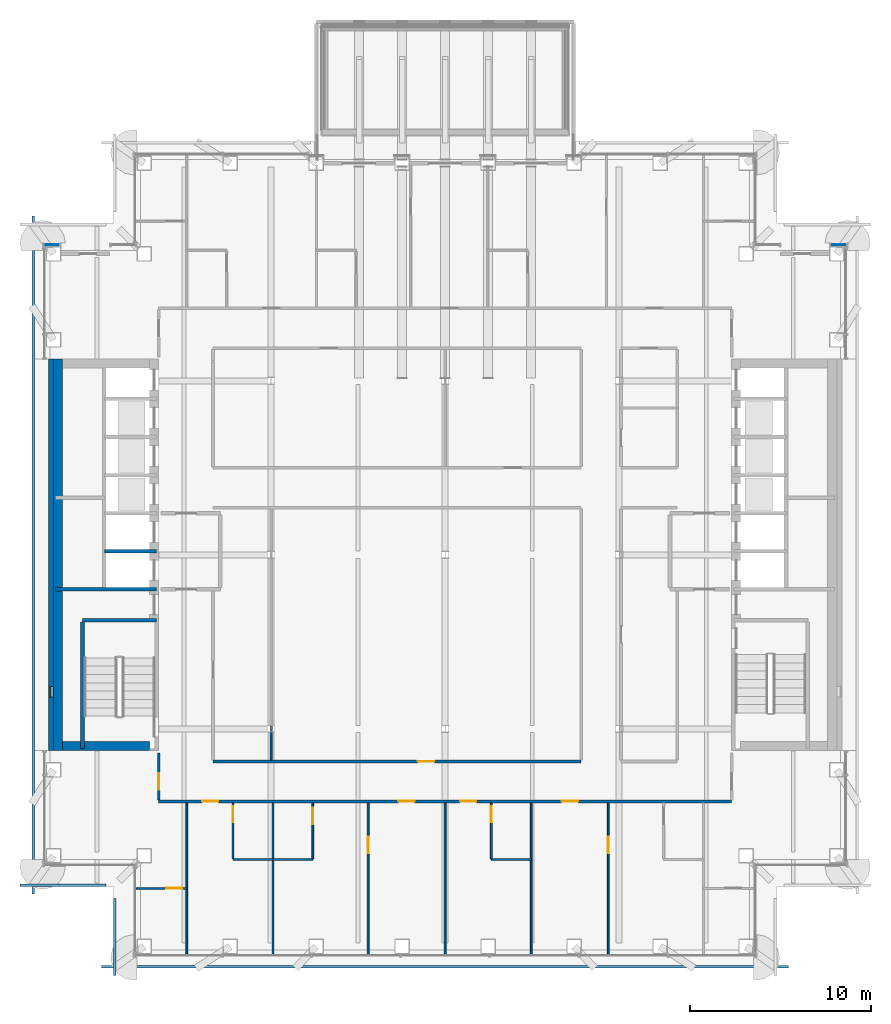
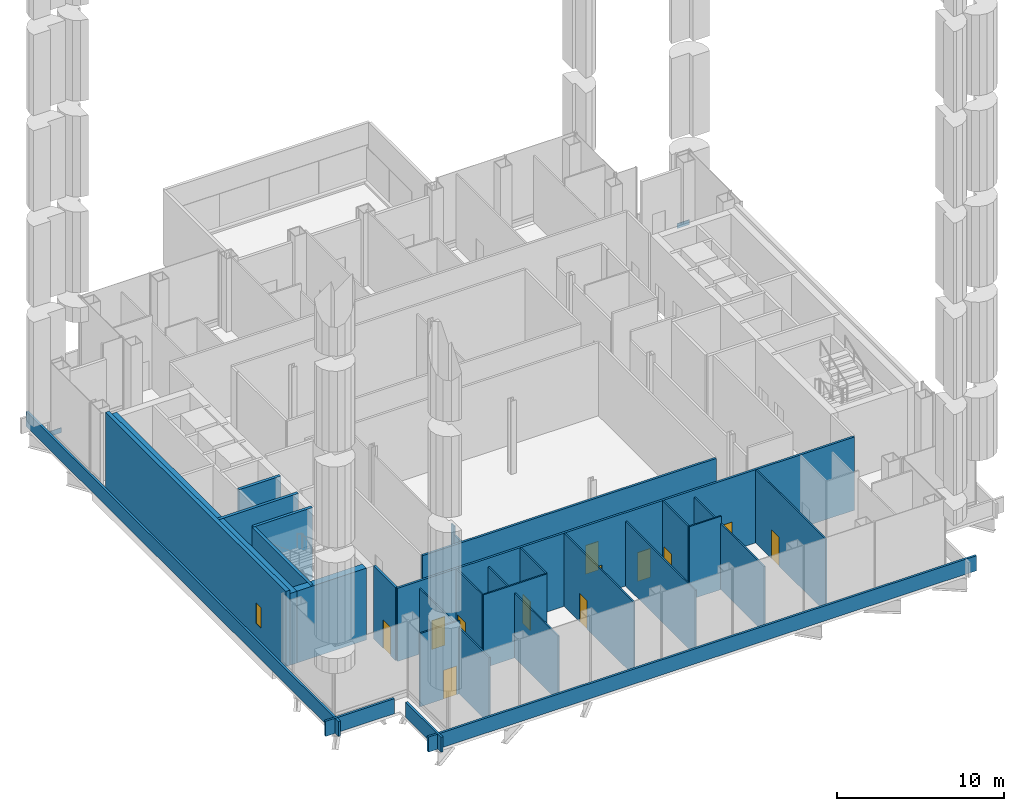
# One storey, part 10 of 22: 29 walls, 12 doors, 2 plates, 1 window, 13 openings, 2 elements without a shape of their own.
"""IFC4 building model written with IfcOpenShell, lengths in metres."""

from ifc_helpers import new_model, si_unit, direction, frame, frame_2d, origin, origin_2d, place, context, subcontext, project, spatial, rectangle, extrude, material, layer, layer_set, type_object, element, fill, aggregate, save


model = new_model("IFC4")

# Units and contexts
model_context = context("Model", 3, precision=1e-05, world=origin(), true_north=direction((0.0, 1.0)))
body_context = subcontext(model_context, "Body", "Model", "MODEL_VIEW")
ifc_project = project(units=[si_unit("LENGTHUNIT", "METRE"), si_unit("AREAUNIT", "SQUARE_METRE"), si_unit("VOLUMEUNIT", "CUBIC_METRE"), si_unit("PLANEANGLEUNIT", "RADIAN"), si_unit("MASSUNIT", "GRAM", prefix="KILO")], contexts=[model_context])

# Site, building, storey
site_placement = place(None, origin())
site = spatial("IfcSite", under=ifc_project, at=site_placement, CompositionType="ELEMENT")
building_placement = place(site_placement, origin())
building = spatial("IfcBuilding", under=site, at=building_placement, Name="Cobrizo Arcos Hotel Tower", CompositionType="ELEMENT")
storey_placement = place(building_placement, frame((0.0, 0.0, 142.5)))
storey = spatial("IfcBuildingStorey", under=building, at=storey_placement, Name="L36", CompositionType="ELEMENT", Elevation=142.5)

# Curtain wall, plate
ifc_material_1 = material(Name="Aluminium 6063-T6 anodised bronze", Category="aluminium")
curtain_wall_type = type_object("IfcCurtainWallType", Name="CW-E sky lobby glazing", PredefinedType="NOTDEFINED", material=ifc_material_1)
curtain_wall_1_placement = place(storey_placement, origin())
curtain_wall_1 = element("IfcCurtainWall", 1, at=curtain_wall_1_placement, inside=storey, type_object=curtain_wall_type, Name="CW-E L36 N face", PredefinedType="NOTDEFINED")
ifc_material_2 = material(Name="Aluminium composite panel pale metal", Category="aluminium")
ifc_layer_1 = layer(ifc_material_2, 0.0400390625)
ifc_layer_set_1 = layer_set([ifc_layer_1], Name="CW-E spandrel panel")
plate_type = type_object("IfcPlateType", Name="CW-E spandrel panel", PredefinedType="CURTAIN_PANEL", material=ifc_layer_set_1)
plate_1_placement = place(storey_placement, frame((21.699951171875, 17.10009765625, 0.0), z_axis=(0.0, 0.0, 1.0), x_axis=(-1.0, 0.0, 0.0)))
plate_1 = element("IfcPlate", 2, at=plate_1_placement, type_object=plate_type, Name="CW-E spandrel panel 1320", PredefinedType="CURTAIN_PANEL", context=body_context, shape_type="SweptSolid", body=[
    extrude(rectangle(XDim=0.840087890625, YDim=0.0400390625, at=origin_2d()), origin(), (0.0, 0.0, 1.0), 0.360107421875),
])
aggregate(curtain_wall_1, [plate_1])

curtain_wall_2_placement = place(storey_placement, origin())
curtain_wall_2 = element("IfcCurtainWall", 3, at=curtain_wall_2_placement, inside=storey, type_object=curtain_wall_type, Name="CW-E L36 N face", PredefinedType="NOTDEFINED")
plate_2_placement = place(storey_placement, frame((-21.699951171875, 17.10009765625, 0.0), z_axis=(0.0, 0.0, 1.0), x_axis=(-1.0, 0.0, 0.0)))
plate_2 = element("IfcPlate", 4, at=plate_2_placement, type_object=plate_type, Name="CW-E spandrel panel 1329", PredefinedType="CURTAIN_PANEL", context=body_context, shape_type="SweptSolid", body=[
    extrude(rectangle(XDim=0.840087890625, YDim=0.0400390625, at=origin_2d()), origin(), (0.0, 0.0, 1.0), 0.360107421875),
])
aggregate(curtain_wall_2, [plate_2])

# Wall, openings, doors
ifc_material_3 = material(Name="Gypsum board partition")
ifc_layer_2 = layer(ifc_material_3, 0.14990234375)
ifc_layer_set_2 = layer_set([ifc_layer_2], Name="Corridor wall EI 60 150")
wall_type_1 = type_object("IfcWallType", Name="Corridor wall EI 60 150", PredefinedType="PARTITIONING", material=ifc_layer_set_2)
wall_1_placement = place(storey_placement, frame((-15.800048828125, -13.60009765625, 0.0), z_axis=(0.0, 0.0, 1.0), x_axis=(1.0, 0.0, 0.0)))
wall_1 = element("IfcWall", 5, at=wall_1_placement, inside=storey, type_object=wall_type_1, Name="Partition 006", PredefinedType="PARTITIONING", context=body_context, shape_type="SweptSolid", body=[
    extrude(rectangle(XDim=31.60009765625, YDim=0.14990234375, at=frame_2d((15.800048828125, 0.0))), origin(), (0.0, 0.0, 1.0), 5.35009765625),
])
opening_1_placement = place(wall_1_placement, frame((2.39306640625, 0.0, 0.0)))
opening_1 = element("IfcOpeningElement", 6, at=opening_1_placement, cuts=wall_1, Name="Opening RD-06", PredefinedType="OPENING", context=body_context, shape_type="SweptSolid", body=[
    extrude(rectangle(XDim=0.89990234375, YDim=2.10009765625, at=frame_2d((0.449951171875, 1.050048828125))), frame((0.0, 0.0869140625, 0.0), z_axis=(0.0, -1.0, 0.0), x_axis=(1.0, 0.0, 0.0)), (0.0, 0.0, 1.0), 0.173828125),
])
opening_2_placement = place(wall_1_placement, frame((13.216064453125, 0.0, 0.0)))
opening_2 = element("IfcOpeningElement", 7, at=opening_2_placement, cuts=wall_1, Name="Opening RD-07", PredefinedType="OPENING", context=body_context, shape_type="SweptSolid", body=[
    extrude(rectangle(XDim=0.89990234375, YDim=2.10009765625, at=frame_2d((0.449951171875, 1.050048828125))), frame((0.0, 0.0869140625, 0.0), z_axis=(0.0, -1.0, 0.0), x_axis=(1.0, 0.0, 0.0)), (0.0, 0.0, 1.0), 0.173828125),
])
opening_3_placement = place(wall_1_placement, frame((16.6220703125, 0.0, 0.0)))
opening_3 = element("IfcOpeningElement", 8, at=opening_3_placement, cuts=wall_1, Name="Opening RD-09", PredefinedType="OPENING", context=body_context, shape_type="SweptSolid", body=[
    extrude(rectangle(XDim=0.89990234375, YDim=2.10009765625, at=frame_2d((0.449951171875, 1.050048828125))), frame((0.0, 0.0869140625, 0.0), z_axis=(0.0, -1.0, 0.0), x_axis=(1.0, 0.0, 0.0)), (0.0, 0.0, 1.0), 0.173828125),
])
opening_4_placement = place(wall_1_placement, frame((22.22802734375, 0.0, 0.0)))
opening_4 = element("IfcOpeningElement", 9, at=opening_4_placement, cuts=wall_1, Name="Opening RD-10", PredefinedType="OPENING", context=body_context, shape_type="SweptSolid", body=[
    extrude(rectangle(XDim=0.89990234375, YDim=2.10009765625, at=frame_2d((0.449951171875, 1.050048828125))), frame((0.0, 0.0869140625, 0.0), z_axis=(0.0, -1.0, 0.0), x_axis=(1.0, 0.0, 0.0)), (0.0, 0.0, 1.0), 0.173828125),
])
ifc_material_4 = material(Name="Timber door leaf", Category="wood")
door_type_1 = type_object("IfcDoorType", Name="Room door FD30 900x2100", OperationType="SINGLE_SWING_LEFT", PredefinedType="DOOR", material=ifc_material_4)
door_1_placement = place(opening_1_placement, origin())
door_1 = element("IfcDoor", 10, at=door_1_placement, inside=storey, type_object=door_type_1, Name="Door RD-06", OperationType="SINGLE_SWING_LEFT", OverallHeight=2.10009765625, OverallWidth=0.89990234375, PredefinedType="DOOR", context=body_context, shape_type="SweptSolid", body=[
    extrude(rectangle(XDim=0.89990234375, YDim=2.10009765625, at=frame_2d((0.449951171875, 1.050048828125))), frame((0.0, 0.02490234375, 0.0), z_axis=(0.0, -1.0, 0.0), x_axis=(1.0, 0.0, 0.0)), (0.0, 0.0, 1.0), 0.050048828125),
])
fill(opening_1, door_1)
door_2_placement = place(opening_2_placement, origin())
door_2 = element("IfcDoor", 11, at=door_2_placement, inside=storey, type_object=door_type_1, Name="Door RD-07", OperationType="SINGLE_SWING_LEFT", OverallHeight=2.10009765625, OverallWidth=0.89990234375, PredefinedType="DOOR", context=body_context, shape_type="SweptSolid", body=[
    extrude(rectangle(XDim=0.89990234375, YDim=2.10009765625, at=frame_2d((0.449951171875, 1.050048828125))), frame((0.0, 0.02490234375, 0.0), z_axis=(0.0, -1.0, 0.0), x_axis=(1.0, 0.0, 0.0)), (0.0, 0.0, 1.0), 0.050048828125),
])
fill(opening_2, door_2)
door_3_placement = place(opening_3_placement, origin())
door_3 = element("IfcDoor", 12, at=door_3_placement, inside=storey, type_object=door_type_1, Name="Door RD-09", OperationType="SINGLE_SWING_LEFT", OverallHeight=2.10009765625, OverallWidth=0.89990234375, PredefinedType="DOOR", context=body_context, shape_type="SweptSolid", body=[
    extrude(rectangle(XDim=0.89990234375, YDim=2.10009765625, at=frame_2d((0.449951171875, 1.050048828125))), frame((0.0, 0.02490234375, 0.0), z_axis=(0.0, -1.0, 0.0), x_axis=(1.0, 0.0, 0.0)), (0.0, 0.0, 1.0), 0.050048828125),
])
fill(opening_3, door_3)
door_4_placement = place(opening_4_placement, origin())
door_4 = element("IfcDoor", 13, at=door_4_placement, inside=storey, type_object=door_type_1, Name="Door RD-10", OperationType="SINGLE_SWING_RIGHT", OverallHeight=2.10009765625, OverallWidth=0.89990234375, PredefinedType="DOOR", context=body_context, shape_type="SweptSolid", body=[
    extrude(rectangle(XDim=0.89990234375, YDim=2.10009765625, at=frame_2d((0.449951171875, 1.050048828125))), frame((0.0, 0.02490234375, 0.0), z_axis=(0.0, -1.0, 0.0), x_axis=(1.0, 0.0, 0.0)), (0.0, 0.0, 1.0), 0.050048828125),
])
fill(opening_4, door_4)

# Wall, opening, door
wall_2_placement = place(storey_placement, frame((-12.800048828125, -11.39990234375, 0.0), z_axis=(0.0, 0.0, 1.0), x_axis=(1.0, 0.0, 0.0)))
wall_2 = element("IfcWall", 14, at=wall_2_placement, inside=storey, type_object=wall_type_1, Name="Partition 007", PredefinedType="PARTITIONING", context=body_context, shape_type="SweptSolid", body=[
    extrude(rectangle(XDim=20.300048828125, YDim=0.14990234375, at=frame_2d((10.14990234375, 0.0))), origin(), (0.0, 0.0, 1.0), 5.35009765625),
])
opening_5_placement = place(wall_2_placement, frame((11.300048828125, 0.0, 0.0)))
opening_5 = element("IfcOpeningElement", 15, at=opening_5_placement, cuts=wall_2, Name="Opening RD-20", PredefinedType="OPENING", context=body_context, shape_type="SweptSolid", body=[
    extrude(rectangle(XDim=0.89990234375, YDim=2.10009765625, at=frame_2d((0.449951171875, 1.050048828125))), frame((0.0, 0.0869140625, 0.0), z_axis=(0.0, -1.0, 0.0), x_axis=(1.0, 0.0, 0.0)), (0.0, 0.0, 1.0), 0.173828125),
])
door_5_placement = place(opening_5_placement, origin())
door_5 = element("IfcDoor", 16, at=door_5_placement, inside=storey, type_object=door_type_1, Name="Door RD-20", OperationType="SINGLE_SWING_LEFT", OverallHeight=2.10009765625, OverallWidth=0.89990234375, PredefinedType="DOOR", context=body_context, shape_type="SweptSolid", body=[
    extrude(rectangle(XDim=0.89990234375, YDim=2.10009765625, at=frame_2d((0.449951171875, 1.050048828125))), frame((0.0, 0.02490234375, 0.0), z_axis=(0.0, -1.0, 0.0), x_axis=(1.0, 0.0, 0.0)), (0.0, 0.0, 1.0), 0.050048828125),
])
fill(opening_5, door_5)

wall_3_placement = place(storey_placement, frame((-15.800048828125, -13.52490234375, 0.0), z_axis=(0.0, 0.0, 1.0), x_axis=(0.0, 1.0, 0.0)))
wall_3 = element("IfcWall", 17, at=wall_3_placement, inside=storey, type_object=wall_type_1, Name="Partition 046", PredefinedType="PARTITIONING", context=body_context, shape_type="SweptSolid", body=[
    extrude(rectangle(XDim=2.60498046875, YDim=0.14990234375, at=frame_2d((1.302490234375, 0.0))), origin(), (0.0, 0.0, 1.0), 5.35009765625),
])
opening_6_placement = place(wall_3_placement, frame((0.574951171875, 0.0, 0.0)))
opening_6 = element("IfcOpeningElement", 18, at=opening_6_placement, cuts=wall_3, Name="Opening RD-12", PredefinedType="OPENING", context=body_context, shape_type="SweptSolid", body=[
    extrude(rectangle(XDim=0.89990234375, YDim=2.10009765625, at=frame_2d((0.449951171875, 1.050048828125))), frame((0.0, 0.0869140625, 0.0), z_axis=(0.0, -1.0, 0.0), x_axis=(1.0, 0.0, 0.0)), (0.0, 0.0, 1.0), 0.173828125),
])
door_6_placement = place(opening_6_placement, origin())
door_6 = element("IfcDoor", 19, at=door_6_placement, inside=storey, type_object=door_type_1, Name="Door RD-12", OperationType="SINGLE_SWING_RIGHT", OverallHeight=2.10009765625, OverallWidth=0.89990234375, PredefinedType="DOOR", context=body_context, shape_type="SweptSolid", body=[
    extrude(rectangle(XDim=0.89990234375, YDim=2.10009765625, at=frame_2d((0.449951171875, 1.050048828125))), frame((0.0, 0.02490234375, 0.0), z_axis=(0.0, -1.0, 0.0), x_axis=(1.0, 0.0, 0.0)), (0.0, 0.0, 1.0), 0.050048828125),
])
fill(opening_6, door_6)

# Wall, opening, window
ifc_layer_3 = layer(ifc_material_2, 0.27490234375)
ifc_layer_set_3 = layer_set([ifc_layer_3], Name="EW-1 insulated panel wall 275")
wall_type_2 = type_object("IfcWallType", Name="EW-1 insulated panel wall 275", PredefinedType="SOLIDWALL", material=ifc_layer_set_3)
wall_4_placement = place(storey_placement, frame((-21.737548828125, 10.800048828125, 0.0), z_axis=(0.0, 0.0, 1.0), x_axis=(0.0, -1.0, 0.0)))
wall_4 = element("IfcWall", 20, at=wall_4_placement, inside=storey, type_object=wall_type_2, Name="Core face wall L36 W", PredefinedType="SOLIDWALL", context=body_context, shape_type="SweptSolid", body=[
    extrude(rectangle(XDim=21.60009765625, YDim=0.27490234375, at=frame_2d((10.800048828125, 0.0))), origin(), (0.0, 0.0, 1.0), 5.5),
])
opening_7_placement = place(wall_4_placement, frame((18.050048828125, 0.0, 1.0)))
opening_7 = element("IfcOpeningElement", 21, at=opening_7_placement, cuts=wall_4, Name="Opening W-80", PredefinedType="OPENING", context=body_context, shape_type="SweptSolid", body=[
    extrude(rectangle(XDim=0.60009765625, YDim=1.5, at=frame_2d((0.300048828125, 0.75))), frame((0.0, 0.1494140625, 0.0), z_axis=(0.0, -1.0, 0.0), x_axis=(1.0, 0.0, 0.0)), (0.0, 0.0, 1.0), 0.298828125),
])
ifc_material_5 = material(Name="Aluminium 6063-T6 and clear laminated glass", Category="aluminium")
window_type = type_object("IfcWindowType", Name="W-C1 core stair slot window 600x1500", PartitioningType="SINGLE_PANEL", PredefinedType="WINDOW", material=ifc_material_5)
window_placement = place(opening_7_placement, origin())
window = element("IfcWindow", 22, at=window_placement, inside=storey, type_object=window_type, Name="Core face wall L36 W window W-80", OverallHeight=1.5, OverallWidth=0.60009765625, PartitioningType="SINGLE_PANEL", PredefinedType="WINDOW", context=body_context, shape_type="SweptSolid", body=[
    extrude(rectangle(XDim=0.60009765625, YDim=1.5, at=frame_2d((0.300048828125, 0.75))), frame((0.0, -0.04736328125, 0.0), z_axis=(0.0, -1.0, 0.0), x_axis=(1.0, 0.0, 0.0)), (0.0, 0.0, 1.0), 0.06005859375),
])
fill(opening_7, window)

# Walls
ifc_layer_4 = layer(ifc_material_2, 0.14990234375)
ifc_layer_set_4 = layer_set([ifc_layer_4], Name="PW-3 terrace parapet wall")
wall_type_3 = type_object("IfcWallType", Name="PW-3 terrace parapet wall", PredefinedType="PARAPET", material=ifc_layer_set_4)
wall_5_placement = place(storey_placement, frame((-18.949951171875, -22.72509765625, 0.0), z_axis=(0.0, 0.0, 1.0), x_axis=(1.0, 0.0, 0.0)))
element("IfcWall", 23, at=wall_5_placement, inside=storey, type_object=wall_type_3, Name="Parapet L35 S", PredefinedType="PARAPET", context=body_context, shape_type="SweptSolid", body=[
    extrude(rectangle(XDim=37.89990234375, YDim=0.14990234375, at=frame_2d((18.949951171875, 0.0))), origin(), (0.0, 0.0, 1.0), 1.10009765625),
])
wall_6_placement = place(storey_placement, frame((-22.72509765625, 18.699951171875, 0.0), z_axis=(0.0, 0.0, 1.0), x_axis=(0.0, -1.0, 0.0)))
element("IfcWall", 24, at=wall_6_placement, inside=storey, type_object=wall_type_3, Name="Parapet L35 W", PredefinedType="PARAPET", context=body_context, shape_type="SweptSolid", body=[
    extrude(rectangle(XDim=37.39990234375, YDim=0.14990234375, at=frame_2d((18.699951171875, 0.0))), origin(), (0.0, 0.0, 1.0), 1.10009765625),
])
wall_7_placement = place(storey_placement, frame((-23.449951171875, -18.22509765625, 0.0), z_axis=(0.0, 0.0, 1.0), x_axis=(1.0, 0.0, 0.0)))
element("IfcWall", 25, at=wall_7_placement, inside=storey, type_object=wall_type_3, Name="Parapet L35 S", PredefinedType="PARAPET", context=body_context, shape_type="SweptSolid", body=[
    extrude(rectangle(XDim=4.75, YDim=0.14990234375, at=frame_2d((2.375, 0.0))), origin(), (0.0, 0.0, 1.0), 1.10009765625),
])
wall_8_placement = place(storey_placement, frame((-18.22509765625, -18.949951171875, 0.0), z_axis=(0.0, 0.0, 1.0), x_axis=(0.0, -1.0, 0.0)))
element("IfcWall", 26, at=wall_8_placement, inside=storey, type_object=wall_type_3, Name="Parapet L35 W", PredefinedType="PARAPET", context=body_context, shape_type="SweptSolid", body=[
    extrude(rectangle(XDim=4.25, YDim=0.14990234375, at=frame_2d((2.125, 0.0))), origin(), (0.0, 0.0, 1.0), 1.10009765625),
])

# Wall, opening, door
ifc_layer_5 = layer(ifc_material_3, 0.10009765625)
ifc_layer_set_5 = layer_set([ifc_layer_5], Name="Partition EI 30 100")
wall_type_4 = type_object("IfcWallType", Name="Partition EI 30 100", PredefinedType="PARTITIONING", material=ifc_layer_set_5)
wall_9_placement = place(storey_placement, frame((-17.030029296875, -18.39990234375, 0.0), z_axis=(0.0, 0.0, 1.0), x_axis=(1.0, 0.0, 0.0)))
wall_9 = element("IfcWall", 27, at=wall_9_placement, inside=storey, type_object=wall_type_4, Name="Partition 001", PredefinedType="PARTITIONING", context=body_context, shape_type="SweptSolid", body=[
    extrude(rectangle(XDim=2.780029296875, YDim=0.10009765625, at=frame_2d((1.39013671875, 0.0))), origin(), (0.0, 0.0, 1.0), 5.35009765625),
])
opening_8_placement = place(wall_9_placement, frame((1.639892578125, 0.0, 0.0)))
opening_8 = element("IfcOpeningElement", 28, at=opening_8_placement, cuts=wall_9, Name="Opening ED-08", PredefinedType="OPENING", context=body_context, shape_type="SweptSolid", body=[
    extrude(rectangle(XDim=0.89990234375, YDim=2.10009765625, at=frame_2d((0.449951171875, 1.050048828125))), frame((0.0, 0.06201171875, 0.0), z_axis=(0.0, -1.0, 0.0), x_axis=(1.0, 0.0, 0.0)), (0.0, 0.0, 1.0), 0.1240234375),
])
door_type_2 = type_object("IfcDoorType", Name="En-suite door 900x2100", OperationType="SINGLE_SWING_LEFT", PredefinedType="DOOR", material=ifc_material_4)
door_7_placement = place(opening_8_placement, origin())
door_7 = element("IfcDoor", 29, at=door_7_placement, inside=storey, type_object=door_type_2, Name="Door ED-08", OperationType="SINGLE_SWING_LEFT", OverallHeight=2.10009765625, OverallWidth=0.89990234375, PredefinedType="DOOR", context=body_context, shape_type="SweptSolid", body=[
    extrude(rectangle(XDim=0.89990234375, YDim=2.10009765625, at=frame_2d((0.449951171875, 1.050048828125))), frame((0.0, 0.02490234375, 0.0), z_axis=(0.0, -1.0, 0.0), x_axis=(1.0, 0.0, 0.0)), (0.0, 0.0, 1.0), 0.050048828125),
])
fill(opening_8, door_7)

# Walls
wall_10_placement = place(storey_placement, frame((-11.699951171875, -16.800048828125, 0.0), z_axis=(0.0, 0.0, 1.0), x_axis=(1.0, 0.0, 0.0)))
element("IfcWall", 30, at=wall_10_placement, inside=storey, type_object=wall_type_4, Name="Partition 003", PredefinedType="PARTITIONING", context=body_context, shape_type="SweptSolid", body=[
    extrude(rectangle(XDim=4.39990234375, YDim=0.10009765625, at=frame_2d((2.199951171875, 0.0))), origin(), (0.0, 0.0, 1.0), 5.35009765625),
])
wall_11_placement = place(storey_placement, frame((2.550048828125, -16.800048828125, 0.0), z_axis=(0.0, 0.0, 1.0), x_axis=(1.0, 0.0, 0.0)))
element("IfcWall", 31, at=wall_11_placement, inside=storey, type_object=wall_type_4, Name="Partition 004", PredefinedType="PARTITIONING", context=body_context, shape_type="SweptSolid", body=[
    extrude(rectangle(XDim=2.199951171875, YDim=0.10009765625, at=frame_2d((1.10009765625, 0.0))), origin(), (0.0, 0.0, 1.0), 5.35009765625),
])
wall_12_placement = place(storey_placement, frame((-14.25, -22.030029296875, 0.0), z_axis=(0.0, 0.0, 1.0), x_axis=(0.0, 1.0, 0.0)))
element("IfcWall", 32, at=wall_12_placement, inside=storey, type_object=wall_type_4, Name="Partition 048", PredefinedType="PARTITIONING", context=body_context, shape_type="SweptSolid", body=[
    extrude(rectangle(XDim=8.35498046875, YDim=0.10009765625, at=frame_2d((4.177490234375, 0.0))), origin(), (0.0, 0.0, 1.0), 4.81689453125),
])

# Wall, opening, door
wall_13_placement = place(storey_placement, frame((-11.699951171875, -16.75, 0.0), z_axis=(0.0, 0.0, 1.0), x_axis=(0.0, 1.0, 0.0)))
wall_13 = element("IfcWall", 33, at=wall_13_placement, inside=storey, type_object=wall_type_4, Name="Partition 055", PredefinedType="PARTITIONING", context=body_context, shape_type="SweptSolid", body=[
    extrude(rectangle(XDim=3.074951171875, YDim=0.10009765625, at=frame_2d((1.53759765625, 0.0))), origin(), (0.0, 0.0, 1.0), 5.35009765625),
])
opening_9_placement = place(wall_13_placement, frame((1.99609375, 0.0, 0.0)))
opening_9 = element("IfcOpeningElement", 34, at=opening_9_placement, cuts=wall_13, Name="Opening ED-04", PredefinedType="OPENING", context=body_context, shape_type="SweptSolid", body=[
    extrude(rectangle(XDim=0.89990234375, YDim=2.10009765625, at=frame_2d((0.449951171875, 1.050048828125))), frame((0.0, 0.06201171875, 0.0), z_axis=(0.0, -1.0, 0.0), x_axis=(1.0, 0.0, 0.0)), (0.0, 0.0, 1.0), 0.1240234375),
])
door_8_placement = place(opening_9_placement, origin())
door_8 = element("IfcDoor", 35, at=door_8_placement, inside=storey, type_object=door_type_2, Name="Door ED-04", OperationType="SINGLE_SWING_LEFT", OverallHeight=2.10009765625, OverallWidth=0.89990234375, PredefinedType="DOOR", context=body_context, shape_type="SweptSolid", body=[
    extrude(rectangle(XDim=0.89990234375, YDim=2.10009765625, at=frame_2d((0.449951171875, 1.050048828125))), frame((0.0, 0.02490234375, 0.0), z_axis=(0.0, -1.0, 0.0), x_axis=(1.0, 0.0, 0.0)), (0.0, 0.0, 1.0), 0.050048828125),
])
fill(opening_9, door_8)

# Walls
wall_14_placement = place(storey_placement, frame((-9.60009765625, -11.324951171875, 0.0), z_axis=(0.0, 0.0, 1.0), x_axis=(0.0, 1.0, 0.0)))
element("IfcWall", 36, at=wall_14_placement, inside=storey, type_object=wall_type_4, Name="Partition 056", PredefinedType="PARTITIONING", context=body_context, shape_type="SweptSolid", body=[
    extrude(rectangle(XDim=1.537841796875, YDim=0.10009765625, at=frame_2d((0.76904296875, 0.0))), origin(), (0.0, 0.0, 1.0), 4.72802734375),
])
wall_15_placement = place(storey_placement, frame((-9.60009765625, -9.787109375, 0.0), z_axis=(0.0, 0.0, 1.0), x_axis=(0.0, 1.0, 0.0)))
element("IfcWall", 37, at=wall_15_placement, inside=storey, type_object=wall_type_4, Name="Partition 057", PredefinedType="PARTITIONING", context=body_context, shape_type="SweptSolid", body=[
    extrude(rectangle(XDim=0.3740234375, YDim=0.10009765625, at=frame_2d((0.18701171875, 0.0))), origin(), (0.0, 0.0, 1.0), 5.35009765625),
])
wall_16_placement = place(storey_placement, frame((-9.5, -22.030029296875, 0.0), z_axis=(0.0, 0.0, 1.0), x_axis=(0.0, 1.0, 0.0)))
element("IfcWall", 38, at=wall_16_placement, inside=storey, type_object=wall_type_4, Name="Partition 061", PredefinedType="PARTITIONING", context=body_context, shape_type="SweptSolid", body=[
    extrude(rectangle(XDim=5.179931640625, YDim=0.10009765625, at=frame_2d((2.58984375, 0.0))), origin(), (0.0, 0.0, 1.0), 4.72802734375),
])
wall_17_placement = place(storey_placement, frame((-9.5, -16.75, 0.0), z_axis=(0.0, 0.0, 1.0), x_axis=(0.0, 1.0, 0.0)))
element("IfcWall", 39, at=wall_17_placement, inside=storey, type_object=wall_type_4, Name="Partition 062", PredefinedType="PARTITIONING", context=body_context, shape_type="SweptSolid", body=[
    extrude(rectangle(XDim=3.074951171875, YDim=0.10009765625, at=frame_2d((1.53759765625, 0.0))), origin(), (0.0, 0.0, 1.0), 4.72802734375),
])

# Wall, opening, door
wall_18_placement = place(storey_placement, frame((-7.300048828125, -16.75, 0.0), z_axis=(0.0, 0.0, 1.0), x_axis=(0.0, 1.0, 0.0)))
wall_18 = element("IfcWall", 40, at=wall_18_placement, inside=storey, type_object=wall_type_4, Name="Partition 063", PredefinedType="PARTITIONING", context=body_context, shape_type="SweptSolid", body=[
    extrude(rectangle(XDim=3.074951171875, YDim=0.10009765625, at=frame_2d((1.53759765625, 0.0))), origin(), (0.0, 0.0, 1.0), 5.35009765625),
])
opening_10_placement = place(wall_18_placement, frame((1.89990234375, 0.0, 0.0)))
opening_10 = element("IfcOpeningElement", 41, at=opening_10_placement, cuts=wall_18, Name="Opening ED-05", PredefinedType="OPENING", context=body_context, shape_type="SweptSolid", body=[
    extrude(rectangle(XDim=0.89990234375, YDim=2.10009765625, at=frame_2d((0.449951171875, 1.050048828125))), frame((0.0, 0.06201171875, 0.0), z_axis=(0.0, -1.0, 0.0), x_axis=(1.0, 0.0, 0.0)), (0.0, 0.0, 1.0), 0.1240234375),
])
door_9_placement = place(opening_10_placement, origin())
door_9 = element("IfcDoor", 42, at=door_9_placement, inside=storey, type_object=door_type_2, Name="Door ED-05", OperationType="SINGLE_SWING_LEFT", OverallHeight=2.10009765625, OverallWidth=0.89990234375, PredefinedType="DOOR", context=body_context, shape_type="SweptSolid", body=[
    extrude(rectangle(XDim=0.89990234375, YDim=2.10009765625, at=frame_2d((0.449951171875, 1.050048828125))), frame((0.0, 0.02490234375, 0.0), z_axis=(0.0, -1.0, 0.0), x_axis=(1.0, 0.0, 0.0)), (0.0, 0.0, 1.0), 0.050048828125),
])
fill(opening_10, door_9)

wall_19_placement = place(storey_placement, frame((-4.25, -22.030029296875, 0.0), z_axis=(0.0, 0.0, 1.0), x_axis=(0.0, 1.0, 0.0)))
wall_19 = element("IfcWall", 43, at=wall_19_placement, inside=storey, type_object=wall_type_4, Name="Partition 067", PredefinedType="PARTITIONING", context=body_context, shape_type="SweptSolid", body=[
    extrude(rectangle(XDim=8.35498046875, YDim=0.10009765625, at=frame_2d((4.177490234375, 0.0))), origin(), (0.0, 0.0, 1.0), 5.35009765625),
])
opening_11_placement = place(wall_19_placement, frame((5.580078125, 0.0, 0.0)))
opening_11 = element("IfcOpeningElement", 44, at=opening_11_placement, cuts=wall_19, Name="Opening RD-08", PredefinedType="OPENING", context=body_context, shape_type="SweptSolid", body=[
    extrude(rectangle(XDim=0.89990234375, YDim=2.10009765625, at=frame_2d((0.449951171875, 1.050048828125))), frame((0.0, 0.06201171875, 0.0), z_axis=(0.0, -1.0, 0.0), x_axis=(1.0, 0.0, 0.0)), (0.0, 0.0, 1.0), 0.1240234375),
])
door_10_placement = place(opening_11_placement, origin())
door_10 = element("IfcDoor", 45, at=door_10_placement, inside=storey, type_object=door_type_1, Name="Door RD-08", OperationType="SINGLE_SWING_RIGHT", OverallHeight=2.10009765625, OverallWidth=0.89990234375, PredefinedType="DOOR", context=body_context, shape_type="SweptSolid", body=[
    extrude(rectangle(XDim=0.89990234375, YDim=2.10009765625, at=frame_2d((0.449951171875, 1.050048828125))), frame((0.0, 0.02490234375, 0.0), z_axis=(0.0, -1.0, 0.0), x_axis=(1.0, 0.0, 0.0)), (0.0, 0.0, 1.0), 0.050048828125),
])
fill(opening_11, door_10)

# Wall
wall_20_placement = place(storey_placement, frame((0.0, -22.030029296875, 0.0), z_axis=(0.0, 0.0, 1.0), x_axis=(0.0, 1.0, 0.0)))
element("IfcWall", 46, at=wall_20_placement, inside=storey, type_object=wall_type_4, Name="Partition 069", PredefinedType="PARTITIONING", context=body_context, shape_type="SweptSolid", body=[
    extrude(rectangle(XDim=8.35498046875, YDim=0.10009765625, at=frame_2d((4.177490234375, 0.0))), origin(), (0.0, 0.0, 1.0), 4.72802734375),
])

# Wall, opening, door
wall_21_placement = place(storey_placement, frame((2.550048828125, -16.75, 0.0), z_axis=(0.0, 0.0, 1.0), x_axis=(0.0, 1.0, 0.0)))
wall_21 = element("IfcWall", 47, at=wall_21_placement, inside=storey, type_object=wall_type_4, Name="Partition 074", PredefinedType="PARTITIONING", context=body_context, shape_type="SweptSolid", body=[
    extrude(rectangle(XDim=3.074951171875, YDim=0.10009765625, at=frame_2d((1.53759765625, 0.0))), origin(), (0.0, 0.0, 1.0), 5.35009765625),
])
opening_12_placement = place(wall_21_placement, frame((1.99609375, 0.0, 0.0)))
opening_12 = element("IfcOpeningElement", 48, at=opening_12_placement, cuts=wall_21, Name="Opening ED-06", PredefinedType="OPENING", context=body_context, shape_type="SweptSolid", body=[
    extrude(rectangle(XDim=0.89990234375, YDim=2.10009765625, at=frame_2d((0.449951171875, 1.050048828125))), frame((0.0, 0.06201171875, 0.0), z_axis=(0.0, -1.0, 0.0), x_axis=(1.0, 0.0, 0.0)), (0.0, 0.0, 1.0), 0.1240234375),
])
door_11_placement = place(opening_12_placement, origin())
door_11 = element("IfcDoor", 49, at=door_11_placement, inside=storey, type_object=door_type_2, Name="Door ED-06", OperationType="SINGLE_SWING_RIGHT", OverallHeight=2.10009765625, OverallWidth=0.89990234375, PredefinedType="DOOR", context=body_context, shape_type="SweptSolid", body=[
    extrude(rectangle(XDim=0.89990234375, YDim=2.10009765625, at=frame_2d((0.449951171875, 1.050048828125))), frame((0.0, 0.02490234375, 0.0), z_axis=(0.0, -1.0, 0.0), x_axis=(1.0, 0.0, 0.0)), (0.0, 0.0, 1.0), 0.050048828125),
])
fill(opening_12, door_11)

# Wall
wall_22_placement = place(storey_placement, frame((4.75, -22.030029296875, 0.0), z_axis=(0.0, 0.0, 1.0), x_axis=(0.0, 1.0, 0.0)))
element("IfcWall", 50, at=wall_22_placement, inside=storey, type_object=wall_type_4, Name="Partition 076", PredefinedType="PARTITIONING", context=body_context, shape_type="SweptSolid", body=[
    extrude(rectangle(XDim=8.35498046875, YDim=0.10009765625, at=frame_2d((4.177490234375, 0.0))), origin(), (0.0, 0.0, 1.0), 4.81689453125),
])

# Wall, opening, door
wall_23_placement = place(storey_placement, frame((9.0, -22.030029296875, 0.0), z_axis=(0.0, 0.0, 1.0), x_axis=(0.0, 1.0, 0.0)))
wall_23 = element("IfcWall", 51, at=wall_23_placement, inside=storey, type_object=wall_type_4, Name="Partition 081", PredefinedType="PARTITIONING", context=body_context, shape_type="SweptSolid", body=[
    extrude(rectangle(XDim=8.35498046875, YDim=0.10009765625, at=frame_2d((4.177490234375, 0.0))), origin(), (0.0, 0.0, 1.0), 5.35009765625),
])
opening_13_placement = place(wall_23_placement, frame((5.580078125, 0.0, 0.0)))
opening_13 = element("IfcOpeningElement", 52, at=opening_13_placement, cuts=wall_23, Name="Opening RD-11", PredefinedType="OPENING", context=body_context, shape_type="SweptSolid", body=[
    extrude(rectangle(XDim=0.89990234375, YDim=2.10009765625, at=frame_2d((0.449951171875, 1.050048828125))), frame((0.0, 0.06201171875, 0.0), z_axis=(0.0, -1.0, 0.0), x_axis=(1.0, 0.0, 0.0)), (0.0, 0.0, 1.0), 0.1240234375),
])
door_12_placement = place(opening_13_placement, origin())
door_12 = element("IfcDoor", 53, at=door_12_placement, inside=storey, type_object=door_type_1, Name="Door RD-11", OperationType="SINGLE_SWING_LEFT", OverallHeight=2.10009765625, OverallWidth=0.89990234375, PredefinedType="DOOR", context=body_context, shape_type="SweptSolid", body=[
    extrude(rectangle(XDim=0.89990234375, YDim=2.10009765625, at=frame_2d((0.449951171875, 1.050048828125))), frame((0.0, 0.02490234375, 0.0), z_axis=(0.0, -1.0, 0.0), x_axis=(1.0, 0.0, 0.0)), (0.0, 0.0, 1.0), 0.050048828125),
])
fill(opening_13, door_12)

# Walls
ifc_material_6 = material(Name="Concrete f'c 50 MPa", Category="concrete")
ifc_layer_6 = layer(ifc_material_6, 0.5)
ifc_layer_set_6 = layer_set([ifc_layer_6], Name="RC core wall 500 f'c 50")
wall_type_5 = type_object("IfcWallType", Name="RC core wall 500 f'c 50", PredefinedType="SHEAR", material=ifc_layer_set_6)
wall_24_placement = place(storey_placement, frame((-21.35009765625, -10.800048828125, 0.0), z_axis=(0.0, 0.0, 1.0), x_axis=(0.0, 1.0, 0.0)))
element("IfcWall", 54, at=wall_24_placement, inside=storey, type_object=wall_type_5, Name="Core wall CW3, west core, outer face, L36", PredefinedType="SHEAR", context=body_context, shape_type="SweptSolid", body=[
    extrude(rectangle(XDim=21.60009765625, YDim=0.5, at=frame_2d((10.800048828125, 0.0))), origin(), (0.0, 0.0, 1.0), 5.25),
])
wall_25_placement = place(storey_placement, frame((-21.10009765625, -10.550048828125, 0.0), z_axis=(0.0, 0.0, 1.0), x_axis=(1.0, 0.0, 0.0)))
element("IfcWall", 55, at=wall_25_placement, inside=storey, type_object=wall_type_5, Name="Core wall CW3, west core, south end, L36", PredefinedType="SHEAR", context=body_context, shape_type="SweptSolid", body=[
    extrude(rectangle(XDim=4.800048828125, YDim=0.5, at=frame_2d((2.39990234375, 0.0))), origin(), (0.0, 0.0, 1.0), 5.25),
])
ifc_layer_7 = layer(ifc_material_3, 0.199951171875)
ifc_layer_set_7 = layer_set([ifc_layer_7], Name="Shaft wall EI 120 200")
wall_type_6 = type_object("IfcWallType", Name="Shaft wall EI 120 200", PredefinedType="PARTITIONING", material=ifc_layer_set_7)
wall_26_placement = place(storey_placement, frame((-21.47998046875, -1.89990234375, 0.0), z_axis=(0.0, 0.0, 1.0), x_axis=(1.0, 0.0, 0.0)))
element("IfcWall", 56, at=wall_26_placement, inside=storey, type_object=wall_type_6, Name="Partition 011", PredefinedType="PARTITIONING", context=body_context, shape_type="SweptSolid", body=[
    extrude(rectangle(XDim=5.56005859375, YDim=0.199951171875, at=frame_2d((2.780029296875, 0.0))), origin(), (0.0, 0.0, 1.0), 5.25),
])
wall_27_placement = place(storey_placement, frame((-18.800048828125, 0.199951171875, 0.0), z_axis=(0.0, 0.0, 1.0), x_axis=(1.0, 0.0, 0.0)))
element("IfcWall", 57, at=wall_27_placement, inside=storey, type_object=wall_type_6, Name="Partition 015", PredefinedType="PARTITIONING", context=body_context, shape_type="SweptSolid", body=[
    extrude(rectangle(XDim=2.880126953125, YDim=0.199951171875, at=frame_2d((1.43994140625, 0.0))), origin(), (0.0, 0.0, 1.0), 5.25),
])
ifc_material_7 = material(Name="Concrete f'c 40 MPa", Category="concrete")
ifc_layer_8 = layer(ifc_material_7, 0.199951171875)
ifc_layer_set_8 = layer_set([ifc_layer_8], Name="Stair shaft wall 200")
wall_type_7 = type_object("IfcWallType", Name="Stair shaft wall 200", PredefinedType="SHEAR", material=ifc_layer_set_8)
wall_28_placement = place(storey_placement, frame((-20.0, -3.60009765625, 0.0), z_axis=(0.0, 0.0, 1.0), x_axis=(1.0, 0.0, 0.0)))
element("IfcWall", 58, at=wall_28_placement, inside=storey, type_object=wall_type_7, Name="Stair shaft wall W", PredefinedType="SHEAR", context=body_context, shape_type="SweptSolid", body=[
    extrude(rectangle(XDim=4.080078125, YDim=0.199951171875, at=frame_2d((2.0400390625, 0.0))), origin(), (0.0, 0.0, 1.0), 5.25),
])
wall_29_placement = place(storey_placement, frame((-20.0, -10.679931640625, 0.0), z_axis=(0.0, 0.0, 1.0), x_axis=(0.0, 1.0, 0.0)))
element("IfcWall", 59, at=wall_29_placement, inside=storey, type_object=wall_type_7, Name="Stair shaft wall W", PredefinedType="SHEAR", context=body_context, shape_type="SweptSolid", body=[
    extrude(rectangle(XDim=6.97998046875, YDim=0.199951171875, at=frame_2d((3.489990234375, 0.0))), origin(), (0.0, 0.0, 1.0), 5.25),
])

save(model, "model.ifc")
